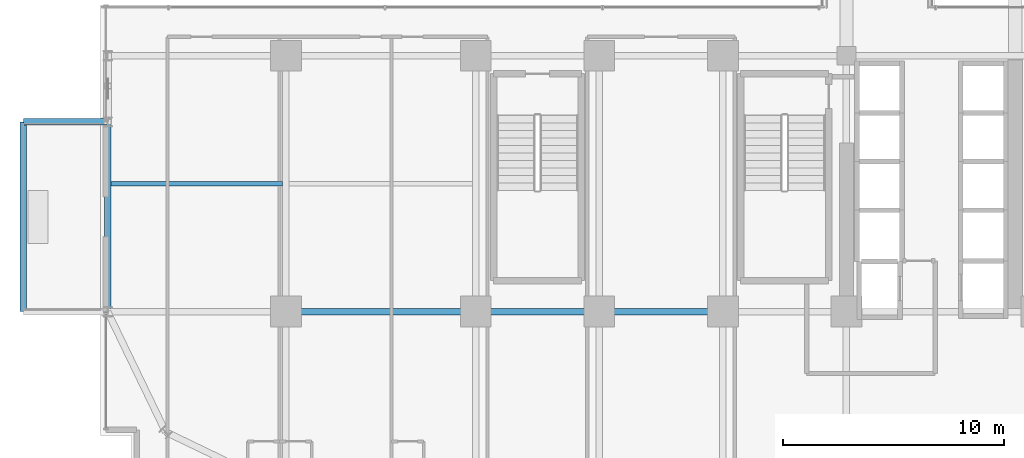
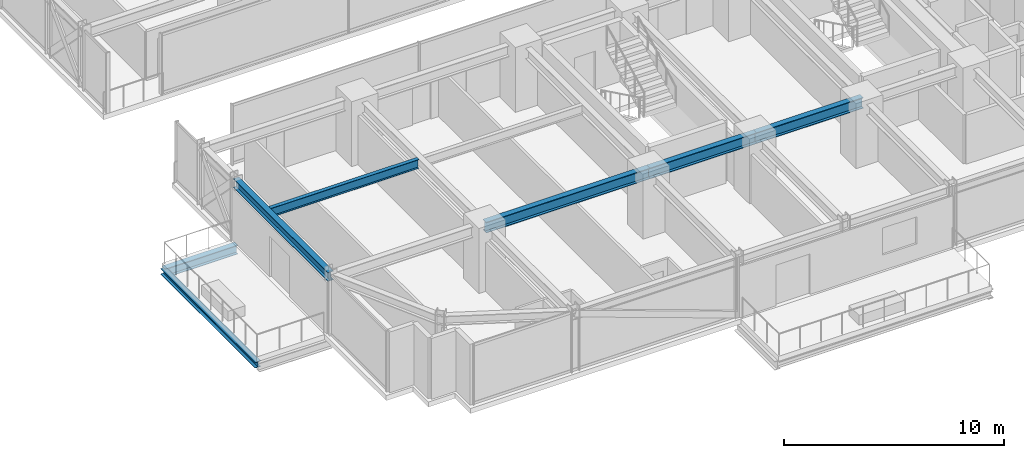
# One storey, part 7 of 38: 7 beams.
"""IFC4 building model written with IfcOpenShell, lengths in metres."""

from ifc_helpers import new_model, si_unit, direction, frame, origin, origin_2d, place, context, subcontext, project, spatial, i_section, extrude, source, transform, mapped, material, material_profile, profile_set, type_object, element, save


model = new_model("IFC4")

# Units and contexts
model_context = context("Model", 3, precision=1e-05, world=origin(), true_north=direction((0.0, 1.0)))
body_context = subcontext(model_context, "Body", "Model", "MODEL_VIEW")
ifc_project = project(units=[si_unit("LENGTHUNIT", "METRE"), si_unit("AREAUNIT", "SQUARE_METRE"), si_unit("VOLUMEUNIT", "CUBIC_METRE"), si_unit("PLANEANGLEUNIT", "RADIAN"), si_unit("MASSUNIT", "GRAM", prefix="KILO")], contexts=[model_context])

# Site, building, storey
site_placement = place(None, origin())
site = spatial("IfcSite", under=ifc_project, at=site_placement, CompositionType="ELEMENT")
building_placement = place(site_placement, origin())
building = spatial("IfcBuilding", under=site, at=building_placement, Name="Nahalor Promenade Grand Hotel", CompositionType="ELEMENT")
storey_placement = place(building_placement, frame((0.0, 0.0, 50.64990234375)))
storey = spatial("IfcBuildingStorey", under=building, at=storey_placement, Name="L11", CompositionType="ELEMENT", Elevation=50.64990234375)

# Beams
ifc_material = material(Name="Steel S355JR", Category="steel")
ifc_material_profile_1 = material_profile(ifc_material, i_section(OverallWidth=0.3, OverallDepth=0.32, WebThickness=0.0115, FlangeThickness=0.0205, at=origin_2d()), Name="HEB 320")
ifc_profile_set_1 = profile_set([ifc_material_profile_1], Name="Steel S355JR")
beam_type_1 = type_object("IfcBeamType", Name="Beam-BalcEdge-HEB320", PredefinedType="SPANDREL", material=ifc_profile_set_1)
shared_shape_1 = source(origin(), body_context, "Body", "SweptSolid", [
    extrude(i_section(OverallWidth=0.3, OverallDepth=0.32, WebThickness=0.0115, FlangeThickness=0.0205, at=origin_2d()), origin(), (0.0, 0.0, 1.0), 8.60009765625),
])
beam_1_placement = place(storey_placement, frame((-28.89990234375, -17.0, -0.43994140625), z_axis=(0.0, 1.0, 0.0), x_axis=(-1.0, 0.0, 0.0)))
element("IfcBeam", 1, at=beam_1_placement, inside=storey, type_object=beam_type_1, Name="BM-L11-BC-02-F", PredefinedType="SPANDREL", context=body_context, shape_type="MappedRepresentation", body=[
    mapped(shared_shape_1, transform((0.0, 0.0, 0.0), scale=1.0)),
])
ifc_material_profile_2 = material_profile(ifc_material, i_section(OverallWidth=0.3, OverallDepth=0.5, WebThickness=0.0145, FlangeThickness=0.028, at=origin_2d()), Name="HEB 500")
ifc_profile_set_2 = profile_set([ifc_material_profile_2], Name="Steel S355JR")
beam_type_2 = type_object("IfcBeamType", Name="Beam-Outrigger-HEB500", PredefinedType="BEAM", material=ifc_profile_set_2)
shared_shape_2 = source(origin(), body_context, "Body", "SweptSolid", [
    extrude(i_section(OverallWidth=0.3, OverallDepth=0.5, WebThickness=0.0145, FlangeThickness=0.028, at=origin_2d()), origin(), (0.0, 0.0, 1.0), 3.81982421875),
])
beam_2_placement = place(storey_placement, frame((-28.89990234375, -8.39990234375, -0.52978515625), z_axis=(1.0, 0.0, 0.0), x_axis=(0.0, 1.0, 0.0)))
element("IfcBeam", 2, at=beam_2_placement, inside=storey, type_object=beam_type_2, Name="BM-L11-BC-02-2", PredefinedType="BEAM", context=body_context, shape_type="MappedRepresentation", body=[
    mapped(shared_shape_2, transform((0.0, 0.0, 0.0), scale=1.0)),
])
ifc_material_profile_3 = material_profile(ifc_material, i_section(OverallWidth=0.3, OverallDepth=0.6, WebThickness=0.0155, FlangeThickness=0.03, at=origin_2d()), Name="HEB 600")
ifc_profile_set_3 = profile_set([ifc_material_profile_3], Name="Steel S355JR")
beam_type_3 = type_object("IfcBeamType", Name="Beam-Girder-HEB600", PredefinedType="BEAM", material=ifc_profile_set_3)
shared_shape_3 = source(origin(), body_context, "Body", "SweptSolid", [
    extrude(i_section(OverallWidth=0.3, OverallDepth=0.6, WebThickness=0.0155, FlangeThickness=0.03, at=origin_2d()), origin(), (0.0, 0.0, 1.0), 8.60009765625),
])
beam_3_placement = place(storey_placement, frame((-17.0, -17.0, 3.070068359375), z_axis=(1.0, 0.0, 0.0), x_axis=(0.0, 1.0, 0.0)))
element("IfcBeam", 3, at=beam_3_placement, inside=storey, type_object=beam_type_3, Name="BM-L11-GX-0-1", PredefinedType="BEAM", context=body_context, shape_type="MappedRepresentation", body=[
    mapped(shared_shape_3, transform((0.0, 0.0, 0.0), scale=1.0)),
])
shared_shape_4 = source(origin(), body_context, "Body", "SweptSolid", [
    extrude(i_section(OverallWidth=0.3, OverallDepth=0.6, WebThickness=0.0155, FlangeThickness=0.03, at=origin_2d()), origin(), (0.0, 0.0, 1.0), 5.599853515625),
])
beam_4_placement = place(storey_placement, frame((-8.39990234375, -17.0, 3.070068359375), z_axis=(1.0, 0.0, 0.0), x_axis=(0.0, 1.0, 0.0)))
element("IfcBeam", 4, at=beam_4_placement, inside=storey, type_object=beam_type_3, Name="BM-L11-GX-0-2", PredefinedType="BEAM", context=body_context, shape_type="MappedRepresentation", body=[
    mapped(shared_shape_4, transform((0.0, 0.0, 0.0), scale=1.0)),
])
shared_shape_5 = source(origin(), body_context, "Body", "SweptSolid", [
    extrude(i_section(OverallWidth=0.3, OverallDepth=0.6, WebThickness=0.0155, FlangeThickness=0.03, at=origin_2d()), origin(), (0.0, 0.0, 1.0), 5.60009765625),
])
beam_5_placement = place(storey_placement, frame((-2.800048828125, -17.0, 3.070068359375), z_axis=(1.0, 0.0, 0.0), x_axis=(0.0, 1.0, 0.0)))
element("IfcBeam", 5, at=beam_5_placement, inside=storey, type_object=beam_type_3, Name="BM-L11-GX-0-3", PredefinedType="BEAM", context=body_context, shape_type="MappedRepresentation", body=[
    mapped(shared_shape_5, transform((0.0, 0.0, 0.0), scale=1.0)),
])
ifc_material_profile_4 = material_profile(ifc_material, i_section(OverallWidth=0.3, OverallDepth=0.5, WebThickness=0.0145, FlangeThickness=0.028, at=origin_2d()), Name="HEB 500")
ifc_profile_set_4 = profile_set([ifc_material_profile_4], Name="Steel S355JR")
beam_type_4 = type_object("IfcBeamType", Name="Beam-Spandrel-HEB500", PredefinedType="SPANDREL", material=ifc_profile_set_4)
shared_shape_6 = source(origin(), body_context, "Body", "SweptSolid", [
    extrude(i_section(OverallWidth=0.3, OverallDepth=0.5, WebThickness=0.0145, FlangeThickness=0.028, at=origin_2d()), origin(), (0.0, 0.0, 1.0), 8.60009765625),
])
beam_6_placement = place(storey_placement, frame((-25.080078125, -17.0, 3.1201171875), z_axis=(0.0, 1.0, 0.0), x_axis=(-1.0, 0.0, 0.0)))
element("IfcBeam", 6, at=beam_6_placement, inside=storey, type_object=beam_type_4, Name="BM-L11-SP-W-0", PredefinedType="SPANDREL", context=body_context, shape_type="MappedRepresentation", body=[
    mapped(shared_shape_6, transform((0.0, 0.0, 0.0), scale=1.0)),
])
ifc_material_profile_5 = material_profile(ifc_material, i_section(OverallWidth=0.2, OverallDepth=0.5, WebThickness=0.0102, FlangeThickness=0.016, at=origin_2d()), Name="IPE 500")
ifc_profile_set_5 = profile_set([ifc_material_profile_5], Name="Steel S355JR")
beam_type_5 = type_object("IfcBeamType", Name="Beam-Joist-IPE500", PredefinedType="JOIST", material=ifc_profile_set_5)
shared_shape_7 = source(origin(), body_context, "Body", "SweptSolid", [
    extrude(i_section(OverallWidth=0.2, OverallDepth=0.5, WebThickness=0.0102, FlangeThickness=0.016, at=origin_2d()), origin(), (0.0, 0.0, 1.0), 7.780029296875),
])
beam_7_placement = place(storey_placement, frame((-24.929931640625, -11.199951171875, 3.1201171875), z_axis=(1.0, 0.0, 0.0), x_axis=(0.0, 1.0, 0.0)))
element("IfcBeam", 7, at=beam_7_placement, inside=storey, type_object=beam_type_5, Name="BM-L11-JSW-0-0", PredefinedType="JOIST", context=body_context, shape_type="MappedRepresentation", body=[
    mapped(shared_shape_7, transform((0.0, 0.0, 0.0), scale=1.0)),
])

save(model, "model.ifc")
